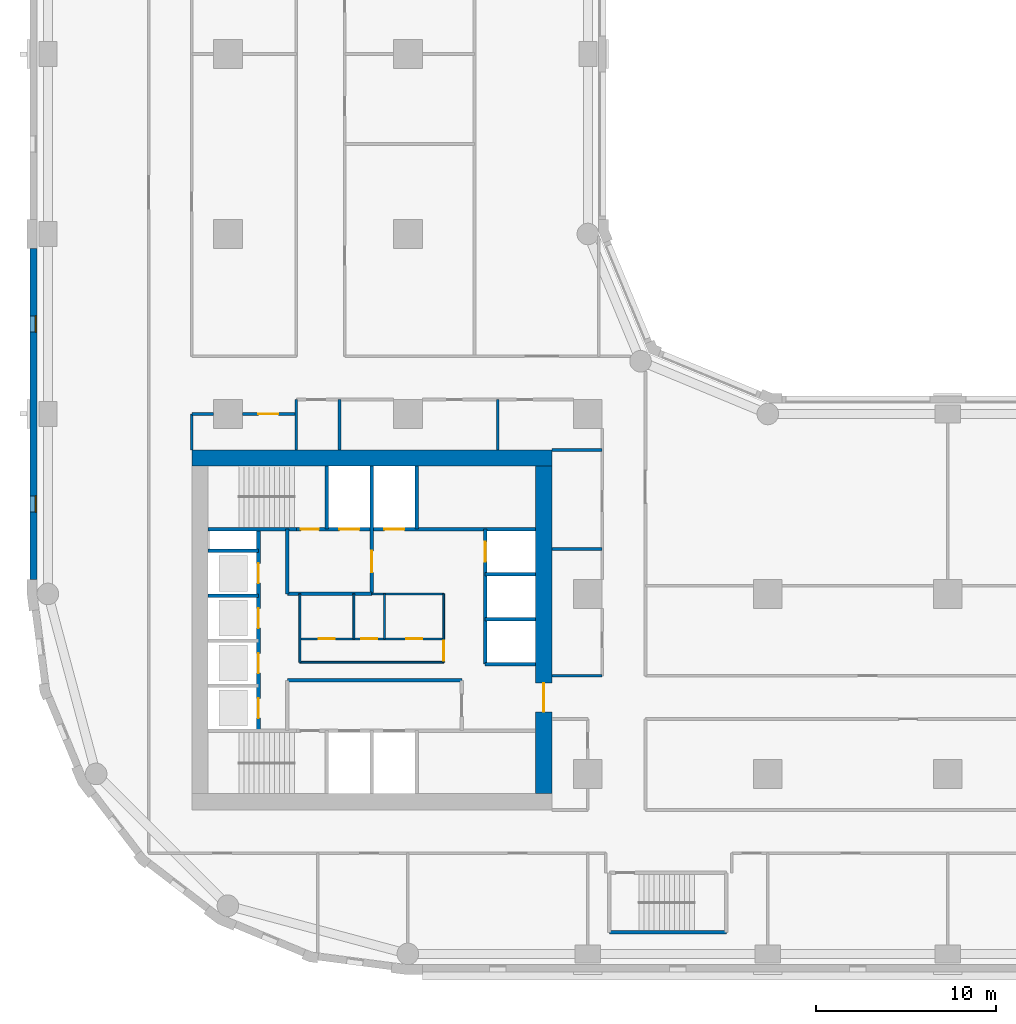
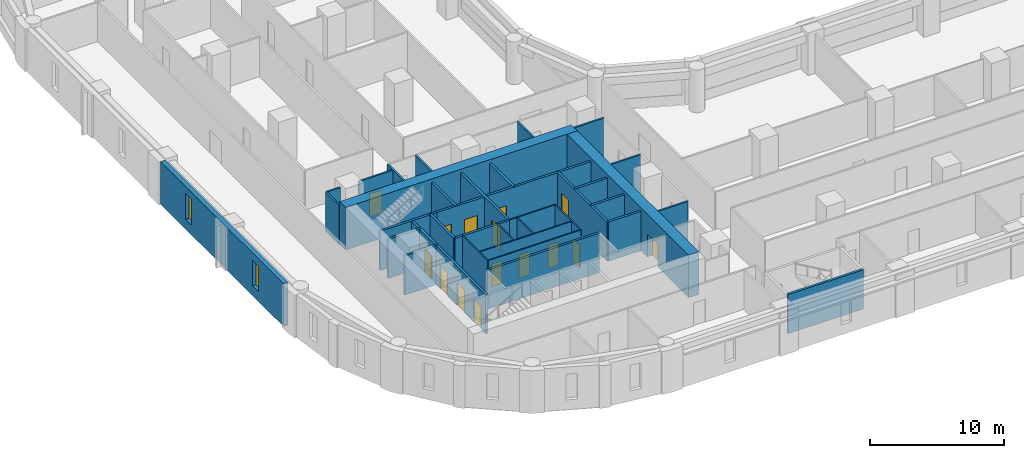
# One storey, part 3 of 10: 35 walls, 15 doors, 2 windows, 17 openings.
"""IFC4 building model written with IfcOpenShell, lengths in metres."""

from ifc_helpers import new_model, si_unit, direction, frame, frame_2d, origin, place, context, subcontext, project, spatial, rectangle, extrude, material, layer, layer_set, type_object, element, fill, save


model = new_model("IFC4")

# Units and contexts
model_context = context("Model", 3, precision=1e-05, world=origin(), true_north=direction((0.0, 1.0)))
body_context = subcontext(model_context, "Body", "Model", "MODEL_VIEW")
ifc_project = project(units=[si_unit("LENGTHUNIT", "METRE"), si_unit("AREAUNIT", "SQUARE_METRE"), si_unit("VOLUMEUNIT", "CUBIC_METRE"), si_unit("PLANEANGLEUNIT", "RADIAN"), si_unit("MASSUNIT", "GRAM", prefix="KILO")], contexts=[model_context])

# Site, building, storey
site_placement = place(None, origin())
site = spatial("IfcSite", under=ifc_project, at=site_placement, CompositionType="ELEMENT")
building_placement = place(site_placement, origin())
building = spatial("IfcBuilding", under=site, at=building_placement, Name="Qaws Garden Tower", CompositionType="ELEMENT")
storey_placement = place(building_placement, frame((0.0, 0.0, 105.60009765625)))
storey = spatial("IfcBuildingStorey", under=building, at=storey_placement, Name="L26", CompositionType="ELEMENT", Elevation=105.60009765625)

# Wall, openings, windows
ifc_material_1 = material(Name="Clay facing brick masonry", Category="masonry")
ifc_layer_1 = layer(ifc_material_1, 0.39990234375)
ifc_layer_set_1 = layer_set([ifc_layer_1], Name="Clay facing brick masonry")
wall_type_1 = type_object("IfcWallType", Name="Brick infill wall 400", PredefinedType="SOLIDWALL", material=ifc_layer_set_1)
wall_1_placement = place(storey_placement, frame((-0.800048828125, 39.199951171875, 0.0), z_axis=(0.0, 0.0, 1.0), x_axis=(0.0, -1.0, 0.0)))
wall_1 = element("IfcWall", 1, at=wall_1_placement, inside=storey, type_object=wall_type_1, Name="E-L26-infill-25", PredefinedType="SOLIDWALL", context=body_context, shape_type="SweptSolid", body=[
    extrude(rectangle(XDim=18.39990234375, YDim=0.39990234375, at=frame_2d((9.199951171875, 0.0))), origin(), (0.0, 0.0, 1.0), 3.89990234375),
])
opening_1_placement = place(wall_1_placement, frame((3.75, 0.0, 0.89990234375)))
opening_1 = element("IfcOpeningElement", 2, at=opening_1_placement, cuts=wall_1, Name="Opening W09", PredefinedType="OPENING", context=body_context, shape_type="SweptSolid", body=[
    extrude(rectangle(XDim=0.89990234375, YDim=2.35009765625, at=frame_2d((0.449951171875, 1.175048828125))), frame((0.0, 0.2099609375, 0.0), z_axis=(0.0, -1.0, 0.0), x_axis=(1.0, 0.0, 0.0)), (0.0, 0.0, 1.0), 0.419921875),
])
opening_2_placement = place(wall_1_placement, frame((13.75, 0.0, 0.89990234375)))
opening_2 = element("IfcOpeningElement", 3, at=opening_2_placement, cuts=wall_1, Name="Opening W09", PredefinedType="OPENING", context=body_context, shape_type="SweptSolid", body=[
    extrude(rectangle(XDim=0.89990234375, YDim=2.35009765625, at=frame_2d((0.449951171875, 1.175048828125))), frame((0.0, 0.2099609375, 0.0), z_axis=(0.0, -1.0, 0.0), x_axis=(1.0, 0.0, 0.0)), (0.0, 0.0, 1.0), 0.419921875),
])
ifc_material_2 = material(Name="Aluminium framed window, clear glazing", Category="aluminium")
window_type = type_object("IfcWindowType", Name="Slit window 900 x 2350", PartitioningType="SINGLE_PANEL", PredefinedType="WINDOW", material=ifc_material_2)
window_1_placement = place(opening_1_placement, origin())
window_1 = element("IfcWindow", 4, at=window_1_placement, inside=storey, type_object=window_type, Name="E-L26-window-25-0", OverallHeight=2.35009765625, OverallWidth=0.89990234375, PartitioningType="SINGLE_PANEL", PredefinedType="WINDOW", context=body_context, shape_type="SweptSolid", body=[
    extrude(rectangle(XDim=0.89990234375, YDim=2.35009765625, at=frame_2d((0.449951171875, 1.175048828125))), frame((0.0, 0.159912109375, 0.0), z_axis=(0.0, -1.0, 0.0), x_axis=(1.0, 0.0, 0.0)), (0.0, 0.0, 1.0), 0.06005859375),
])
fill(opening_1, window_1)
window_2_placement = place(opening_2_placement, origin())
window_2 = element("IfcWindow", 5, at=window_2_placement, inside=storey, type_object=window_type, Name="E-L26-window-26-0", OverallHeight=2.35009765625, OverallWidth=0.89990234375, PartitioningType="SINGLE_PANEL", PredefinedType="WINDOW", context=body_context, shape_type="SweptSolid", body=[
    extrude(rectangle(XDim=0.89990234375, YDim=2.35009765625, at=frame_2d((0.449951171875, 1.175048828125))), frame((0.0, 0.159912109375, 0.0), z_axis=(0.0, -1.0, 0.0), x_axis=(1.0, 0.0, 0.0)), (0.0, 0.0, 1.0), 0.06005859375),
])
fill(opening_2, window_2)

# Wall
ifc_material_3 = material(Name="Plasterboard")
ifc_layer_2 = layer(ifc_material_3, 0.10009765625)
ifc_layer_set_2 = layer_set([ifc_layer_2], Name="Plasterboard")
wall_type_2 = type_object("IfcWallType", Name="Core partition 100", PredefinedType="PARTITIONING", material=ifc_layer_set_2)
wall_2_placement = place(storey_placement, frame((14.0, 16.199951171875, 0.0), z_axis=(0.0, 0.0, 1.0), x_axis=(1.0, 0.0, 0.0)))
element("IfcWall", 6, at=wall_2_placement, inside=storey, type_object=wall_type_2, Name="Core partition", PredefinedType="PARTITIONING", context=body_context, shape_type="SweptSolid", body=[
    extrude(rectangle(XDim=8.0, YDim=0.10009765625, at=frame_2d((4.0, 0.0))), origin(), (0.0, 0.0, 1.0), 3.579833984375),
])

# Wall, openings, doors
wall_3_placement = place(storey_placement, frame((14.0, 17.5, 0.0), z_axis=(0.0, 0.0, 1.0), x_axis=(1.0, 0.0, 0.0)))
wall_3 = element("IfcWall", 7, at=wall_3_placement, inside=storey, type_object=wall_type_2, Name="Core partition", PredefinedType="PARTITIONING", context=body_context, shape_type="SweptSolid", body=[
    extrude(rectangle(XDim=8.0, YDim=0.10009765625, at=frame_2d((4.0, 0.0))), origin(), (0.0, 0.0, 1.0), 3.579833984375),
])
opening_3_placement = place(wall_3_placement, frame((1.050048828125, 0.0, 0.0)))
opening_3 = element("IfcOpeningElement", 8, at=opening_3_placement, cuts=wall_3, Name="Opening WD18", PredefinedType="OPENING", context=body_context, shape_type="SweptSolid", body=[
    extrude(rectangle(XDim=0.89990234375, YDim=2.10009765625, at=frame_2d((0.449951171875, 1.050048828125))), frame((0.0, 0.06005859375, 0.0), z_axis=(0.0, -1.0, 0.0), x_axis=(1.0, 0.0, 0.0)), (0.0, 0.0, 1.0), 0.1201171875),
])
opening_4_placement = place(wall_3_placement, frame((3.39990234375, 0.0, 0.0)))
opening_4 = element("IfcOpeningElement", 9, at=opening_4_placement, cuts=wall_3, Name="Opening WD19", PredefinedType="OPENING", context=body_context, shape_type="SweptSolid", body=[
    extrude(rectangle(XDim=0.89990234375, YDim=2.10009765625, at=frame_2d((0.449951171875, 1.050048828125))), frame((0.0, 0.06005859375, 0.0), z_axis=(0.0, -1.0, 0.0), x_axis=(1.0, 0.0, 0.0)), (0.0, 0.0, 1.0), 0.1201171875),
])
opening_5_placement = place(wall_3_placement, frame((5.89990234375, 0.0, 0.0)))
opening_5 = element("IfcOpeningElement", 10, at=opening_5_placement, cuts=wall_3, Name="Opening WD20", PredefinedType="OPENING", context=body_context, shape_type="SweptSolid", body=[
    extrude(rectangle(XDim=0.89990234375, YDim=2.10009765625, at=frame_2d((0.449951171875, 1.050048828125))), frame((0.0, 0.06005859375, 0.0), z_axis=(0.0, -1.0, 0.0), x_axis=(1.0, 0.0, 0.0)), (0.0, 0.0, 1.0), 0.1201171875),
])
ifc_material_4 = material(Name="Timber", Category="wood")
door_type_1 = type_object("IfcDoorType", Name="WC door 900x2100", OperationType="SINGLE_SWING_LEFT", PredefinedType="DOOR", material=ifc_material_4)
door_1_placement = place(opening_3_placement, origin())
door_1 = element("IfcDoor", 11, at=door_1_placement, inside=storey, type_object=door_type_1, Name="Men's WC door", OperationType="SINGLE_SWING_RIGHT", OverallHeight=2.10009765625, OverallWidth=0.89990234375, PredefinedType="DOOR", context=body_context, shape_type="SweptSolid", body=[
    extrude(rectangle(XDim=0.89990234375, YDim=2.10009765625, at=frame_2d((0.449951171875, 1.050048828125))), frame((0.0, 0.02490234375, 0.0), z_axis=(0.0, -1.0, 0.0), x_axis=(1.0, 0.0, 0.0)), (0.0, 0.0, 1.0), 0.050048828125),
])
fill(opening_3, door_1)
door_2_placement = place(opening_4_placement, origin())
door_2 = element("IfcDoor", 12, at=door_2_placement, inside=storey, type_object=door_type_1, Name="Accessible WC door", OperationType="SINGLE_SWING_RIGHT", OverallHeight=2.10009765625, OverallWidth=0.89990234375, PredefinedType="DOOR", context=body_context, shape_type="SweptSolid", body=[
    extrude(rectangle(XDim=0.89990234375, YDim=2.10009765625, at=frame_2d((0.449951171875, 1.050048828125))), frame((0.0, 0.02490234375, 0.0), z_axis=(0.0, -1.0, 0.0), x_axis=(1.0, 0.0, 0.0)), (0.0, 0.0, 1.0), 0.050048828125),
])
fill(opening_4, door_2)
door_3_placement = place(opening_5_placement, origin())
door_3 = element("IfcDoor", 13, at=door_3_placement, inside=storey, type_object=door_type_1, Name="Women's WC door", OperationType="SINGLE_SWING_RIGHT", OverallHeight=2.10009765625, OverallWidth=0.89990234375, PredefinedType="DOOR", context=body_context, shape_type="SweptSolid", body=[
    extrude(rectangle(XDim=0.89990234375, YDim=2.10009765625, at=frame_2d((0.449951171875, 1.050048828125))), frame((0.0, 0.02490234375, 0.0), z_axis=(0.0, -1.0, 0.0), x_axis=(1.0, 0.0, 0.0)), (0.0, 0.0, 1.0), 0.050048828125),
])
fill(opening_5, door_3)

# Walls
wall_4_placement = place(storey_placement, frame((18.0, 20.0, 0.0), z_axis=(0.0, 0.0, 1.0), x_axis=(1.0, 0.0, 0.0)))
element("IfcWall", 14, at=wall_4_placement, inside=storey, type_object=wall_type_2, Name="Core partition", PredefinedType="PARTITIONING", context=body_context, shape_type="SweptSolid", body=[
    extrude(rectangle(XDim=4.0, YDim=0.10009765625, at=frame_2d((2.0, 0.0))), origin(), (0.0, 0.0, 1.0), 3.579833984375),
])
wall_5_placement = place(storey_placement, frame((14.0, 16.199951171875, 0.0), z_axis=(0.0, 0.0, 1.0), x_axis=(0.0, 1.0, 0.0)))
element("IfcWall", 15, at=wall_5_placement, inside=storey, type_object=wall_type_2, Name="Core partition", PredefinedType="PARTITIONING", context=body_context, shape_type="SweptSolid", body=[
    extrude(rectangle(XDim=3.800048828125, YDim=0.10009765625, at=frame_2d((1.89990234375, 0.0))), origin(), (0.0, 0.0, 1.0), 3.579833984375),
])
for number, where, z_axis, x_axis, name in (
    (16, (17.0, 17.5, 0.0), (0.0, 0.0, 1.0), (0.0, 1.0, 0.0), "Core partition"),
    (17, (18.699951171875, 17.5, 0.0), (0.0, 0.0, 1.0), (0.0, 1.0, 0.0), "Core partition"),
):
    element("IfcWall", number, at=place(storey_placement, frame(where, z_axis=z_axis, x_axis=x_axis)), inside=storey, type_object=wall_type_2, Name=name, PredefinedType="PARTITIONING", context=body_context, shape_type="SweptSolid", body=[
        extrude(rectangle(XDim=2.5, YDim=0.10009765625, at=frame_2d((1.25, 0.0))), origin(), (0.0, 0.0, 1.0), 3.579833984375),
    ])

# Wall, opening, door
wall_6_placement = place(storey_placement, frame((22.0, 16.199951171875, 0.0), z_axis=(0.0, 0.0, 1.0), x_axis=(0.0, 1.0, 0.0)))
wall_6 = element("IfcWall", 18, at=wall_6_placement, inside=storey, type_object=wall_type_2, Name="Core partition", PredefinedType="PARTITIONING", context=body_context, shape_type="SweptSolid", body=[
    extrude(rectangle(XDim=3.800048828125, YDim=0.10009765625, at=frame_2d((1.89990234375, 0.0))), origin(), (0.0, 0.0, 1.0), 3.579833984375),
])
opening_6_placement = place(wall_6_placement, frame((0.10009765625, 0.0, 0.0)))
opening_6 = element("IfcOpeningElement", 19, at=opening_6_placement, cuts=wall_6, Name="Opening WL17", PredefinedType="OPENING", context=body_context, shape_type="SweptSolid", body=[
    extrude(rectangle(XDim=1.10009765625, YDim=2.10009765625, at=frame_2d((0.550048828125, 1.050048828125))), frame((0.0, 0.06005859375, 0.0), z_axis=(0.0, -1.0, 0.0), x_axis=(1.0, 0.0, 0.0)), (0.0, 0.0, 1.0), 0.1201171875),
])
ifc_material_5 = material(Name="Timber", Category="wood")
door_type_2 = type_object("IfcDoorType", Name="WC lobby door 1100x2100", OperationType="SINGLE_SWING_LEFT", PredefinedType="DOOR", material=ifc_material_5)
door_4_placement = place(opening_6_placement, origin())
door_4 = element("IfcDoor", 20, at=door_4_placement, inside=storey, type_object=door_type_2, Name="WC lobby door", OperationType="SINGLE_SWING_RIGHT", OverallHeight=2.10009765625, OverallWidth=1.10009765625, PredefinedType="DOOR", context=body_context, shape_type="SweptSolid", body=[
    extrude(rectangle(XDim=1.10009765625, YDim=2.10009765625, at=frame_2d((0.550048828125, 1.050048828125))), frame((0.0, 0.02490234375, 0.0), z_axis=(0.0, -1.0, 0.0), x_axis=(1.0, 0.0, 0.0)), (0.0, 0.0, 1.0), 0.050048828125),
])
fill(opening_6, door_4)

# Walls
ifc_material_6 = material(Name="Concrete C80", Category="concrete")
ifc_layer_3 = layer(ifc_material_6, 0.199951171875)
ifc_layer_set_3 = layer_set([ifc_layer_3], Name="Concrete C80")
wall_type_3 = type_object("IfcWallType", Name="Core shaft wall 200 C80", PredefinedType="SHEAR", material=ifc_layer_set_3)
wall_7_placement = place(storey_placement, frame((31.199951171875, 1.199951171875, 0.0), z_axis=(0.0, 0.0, 1.0), x_axis=(1.0, 0.0, 0.0)))
element("IfcWall", 21, at=wall_7_placement, inside=storey, type_object=wall_type_3, Name="Shaft wall", PredefinedType="SHEAR", context=body_context, shape_type="SweptSolid", body=[
    extrude(rectangle(XDim=6.5, YDim=0.199951171875, at=frame_2d((3.25, 0.0))), origin(), (0.0, 0.0, 1.0), 3.579833984375),
])
wall_8_placement = place(storey_placement, frame((13.300048828125, 15.199951171875, 0.0), z_axis=(0.0, 0.0, 1.0), x_axis=(1.0, 0.0, 0.0)))
element("IfcWall", 22, at=wall_8_placement, inside=storey, type_object=wall_type_3, Name="Shaft wall", PredefinedType="SHEAR", context=body_context, shape_type="SweptSolid", body=[
    extrude(rectangle(XDim=9.699951171875, YDim=0.199951171875, at=frame_2d((4.85009765625, 0.0))), origin(), (0.0, 0.0, 1.0), 3.579833984375),
])
for number, where, z_axis, x_axis, name in (
    (23, (24.300048828125, 16.10009765625, 0.0), (0.0, 0.0, 1.0), (1.0, 0.0, 0.0), "Shaft wall"),
    (24, (24.300048828125, 18.60009765625, 0.0), (0.0, 0.0, 1.0), (1.0, 0.0, 0.0), "Shaft wall"),
    (25, (8.89990234375, 19.89990234375, 0.0), (0.0, 0.0, 1.0), (1.0, 0.0, 0.0), "Shaft wall"),
):
    element("IfcWall", number, at=place(storey_placement, frame(where, z_axis=z_axis, x_axis=x_axis)), inside=storey, type_object=wall_type_3, Name=name, PredefinedType="SHEAR", context=body_context, shape_type="SweptSolid", body=[
        extrude(rectangle(XDim=2.800048828125, YDim=0.199951171875, at=frame_2d((1.39990234375, 0.0))), origin(), (0.0, 0.0, 1.0), 3.579833984375),
    ])
wall_9_placement = place(storey_placement, frame((13.300048828125, 20.0, 0.0), z_axis=(0.0, 0.0, 1.0), x_axis=(1.0, 0.0, 0.0)))
element("IfcWall", 26, at=wall_9_placement, inside=storey, type_object=wall_type_3, Name="Shaft wall", PredefinedType="SHEAR", context=body_context, shape_type="SweptSolid", body=[
    extrude(rectangle(XDim=4.699951171875, YDim=0.199951171875, at=frame_2d((2.35009765625, 0.0))), origin(), (0.0, 0.0, 1.0), 3.579833984375),
])
for number, where, z_axis, x_axis, name in (
    (27, (24.300048828125, 21.10009765625, 0.0), (0.0, 0.0, 1.0), (1.0, 0.0, 0.0), "Shaft wall"),
    (28, (8.89990234375, 22.39990234375, 0.0), (0.0, 0.0, 1.0), (1.0, 0.0, 0.0), "Shaft wall"),
):
    element("IfcWall", number, at=place(storey_placement, frame(where, z_axis=z_axis, x_axis=x_axis)), inside=storey, type_object=wall_type_3, Name=name, PredefinedType="SHEAR", context=body_context, shape_type="SweptSolid", body=[
        extrude(rectangle(XDim=2.800048828125, YDim=0.199951171875, at=frame_2d((1.39990234375, 0.0))), origin(), (0.0, 0.0, 1.0), 3.579833984375),
    ])
wall_10_placement = place(storey_placement, frame((8.89990234375, 23.60009765625, 0.0), z_axis=(0.0, 0.0, 1.0), x_axis=(1.0, 0.0, 0.0)))
element("IfcWall", 29, at=wall_10_placement, inside=storey, type_object=wall_type_3, Name="Shaft wall", PredefinedType="SHEAR", context=body_context, shape_type="SweptSolid", body=[
    extrude(rectangle(XDim=4.900146484375, YDim=0.199951171875, at=frame_2d((2.4501953125, 0.0))), origin(), (0.0, 0.0, 1.0), 3.579833984375),
])

# Wall, openings, doors
wall_11_placement = place(storey_placement, frame((13.800048828125, 23.60009765625, 0.0), z_axis=(0.0, 0.0, 1.0), x_axis=(1.0, 0.0, 0.0)))
wall_11 = element("IfcWall", 30, at=wall_11_placement, inside=storey, type_object=wall_type_3, Name="Shaft wall", PredefinedType="SHEAR", context=body_context, shape_type="SweptSolid", body=[
    extrude(rectangle(XDim=13.300048828125, YDim=0.199951171875, at=frame_2d((6.64990234375, 0.0))), origin(), (0.0, 0.0, 1.0), 3.579833984375),
])
opening_7_placement = place(wall_11_placement, frame((2.39990234375, 0.0, 0.0)))
opening_7 = element("IfcOpeningElement", 31, at=opening_7_placement, cuts=wall_11, Name="Opening LD08", PredefinedType="OPENING", context=body_context, shape_type="SweptSolid", body=[
    extrude(rectangle(XDim=1.10009765625, YDim=2.10009765625, at=frame_2d((0.550048828125, 1.050048828125))), frame((0.0, 0.10986328125, 0.0), z_axis=(0.0, -1.0, 0.0), x_axis=(1.0, 0.0, 0.0)), (0.0, 0.0, 1.0), 0.219970703125),
])
opening_8_placement = place(wall_11_placement, frame((4.89990234375, 0.0, 0.0)))
opening_8 = element("IfcOpeningElement", 32, at=opening_8_placement, cuts=wall_11, Name="Opening LD09", PredefinedType="OPENING", context=body_context, shape_type="SweptSolid", body=[
    extrude(rectangle(XDim=1.10009765625, YDim=2.10009765625, at=frame_2d((0.550048828125, 1.050048828125))), frame((0.0, 0.10986328125, 0.0), z_axis=(0.0, -1.0, 0.0), x_axis=(1.0, 0.0, 0.0)), (0.0, 0.0, 1.0), 0.219970703125),
])
opening_9_placement = place(wall_11_placement, frame((0.25, 0.0, 0.0)))
opening_9 = element("IfcOpeningElement", 33, at=opening_9_placement, cuts=wall_11, Name="Opening SD11", PredefinedType="OPENING", context=body_context, shape_type="SweptSolid", body=[
    extrude(rectangle(XDim=1.0, YDim=2.10009765625, at=frame_2d((0.5, 1.050048828125))), frame((0.0, 0.10986328125, 0.0), z_axis=(0.0, -1.0, 0.0), x_axis=(1.0, 0.0, 0.0)), (0.0, 0.0, 1.0), 0.219970703125),
])
ifc_material_7 = material(Name="Steel S235", Category="steel")
door_type_3 = type_object("IfcDoorType", Name="Landing door 1100x2100", OperationType="DOUBLE_DOOR_SLIDING", PredefinedType="DOOR", material=ifc_material_7)
door_5_placement = place(opening_7_placement, origin())
door_5 = element("IfcDoor", 34, at=door_5_placement, inside=storey, type_object=door_type_3, Name="Lift FF3 landing door", OperationType="DOUBLE_DOOR_SLIDING", OverallHeight=2.10009765625, OverallWidth=1.10009765625, PredefinedType="DOOR", context=body_context, shape_type="SweptSolid", body=[
    extrude(rectangle(XDim=1.10009765625, YDim=2.10009765625, at=frame_2d((0.550048828125, 1.050048828125))), frame((0.0, 0.02490234375, 0.0), z_axis=(0.0, -1.0, 0.0), x_axis=(1.0, 0.0, 0.0)), (0.0, 0.0, 1.0), 0.050048828125),
])
fill(opening_7, door_5)
door_6_placement = place(opening_8_placement, origin())
door_6 = element("IfcDoor", 35, at=door_6_placement, inside=storey, type_object=door_type_3, Name="Lift SV2 landing door", OperationType="DOUBLE_DOOR_SLIDING", OverallHeight=2.10009765625, OverallWidth=1.10009765625, PredefinedType="DOOR", context=body_context, shape_type="SweptSolid", body=[
    extrude(rectangle(XDim=1.10009765625, YDim=2.10009765625, at=frame_2d((0.550048828125, 1.050048828125))), frame((0.0, 0.02490234375, 0.0), z_axis=(0.0, -1.0, 0.0), x_axis=(1.0, 0.0, 0.0)), (0.0, 0.0, 1.0), 0.050048828125),
])
fill(opening_8, door_6)
ifc_material_8 = material(Name="Steel S235", Category="steel")
door_type_4 = type_object("IfcDoorType", Name="Stair door 1000x2100", OperationType="SINGLE_SWING_RIGHT", PredefinedType="DOOR", material=ifc_material_8)
door_7_placement = place(opening_9_placement, origin())
door_7 = element("IfcDoor", 36, at=door_7_placement, inside=storey, type_object=door_type_4, Name="Stair 4 door", OperationType="SINGLE_SWING_RIGHT", OverallHeight=2.10009765625, OverallWidth=1.0, PredefinedType="DOOR", context=body_context, shape_type="SweptSolid", body=[
    extrude(rectangle(XDim=1.0, YDim=2.10009765625, at=frame_2d((0.5, 1.050048828125))), frame((0.0, 0.02490234375, 0.0), z_axis=(0.0, -1.0, 0.0), x_axis=(1.0, 0.0, 0.0)), (0.0, 0.0, 1.0), 0.050048828125),
])
fill(opening_9, door_7)

wall_12_placement = place(storey_placement, frame((11.699951171875, 12.39990234375, 0.0), z_axis=(0.0, 0.0, 1.0), x_axis=(0.0, 1.0, 0.0)))
wall_12 = element("IfcWall", 37, at=wall_12_placement, inside=storey, type_object=wall_type_3, Name="Shaft wall", PredefinedType="SHEAR", context=body_context, shape_type="SweptSolid", body=[
    extrude(rectangle(XDim=11.2001953125, YDim=0.199951171875, at=frame_2d((5.60009765625, 0.0))), origin(), (0.0, 0.0, 1.0), 3.579833984375),
])
opening_10_placement = place(wall_12_placement, frame((0.699951171875, 0.0, 0.0)))
opening_10 = element("IfcOpeningElement", 38, at=opening_10_placement, cuts=wall_12, Name="Opening LD01", PredefinedType="OPENING", context=body_context, shape_type="SweptSolid", body=[
    extrude(rectangle(XDim=1.10009765625, YDim=2.10009765625, at=frame_2d((0.550048828125, 1.050048828125))), frame((0.0, 0.10986328125, 0.0), z_axis=(0.0, -1.0, 0.0), x_axis=(1.0, 0.0, 0.0)), (0.0, 0.0, 1.0), 0.219970703125),
])
opening_11_placement = place(wall_12_placement, frame((3.199951171875, 0.0, 0.0)))
opening_11 = element("IfcOpeningElement", 39, at=opening_11_placement, cuts=wall_12, Name="Opening LD02", PredefinedType="OPENING", context=body_context, shape_type="SweptSolid", body=[
    extrude(rectangle(XDim=1.10009765625, YDim=2.10009765625, at=frame_2d((0.550048828125, 1.050048828125))), frame((0.0, 0.10986328125, 0.0), z_axis=(0.0, -1.0, 0.0), x_axis=(1.0, 0.0, 0.0)), (0.0, 0.0, 1.0), 0.219970703125),
])
opening_12_placement = place(wall_12_placement, frame((5.699951171875, 0.0, 0.0)))
opening_12 = element("IfcOpeningElement", 40, at=opening_12_placement, cuts=wall_12, Name="Opening LD03", PredefinedType="OPENING", context=body_context, shape_type="SweptSolid", body=[
    extrude(rectangle(XDim=1.10009765625, YDim=2.10009765625, at=frame_2d((0.550048828125, 1.050048828125))), frame((0.0, 0.10986328125, 0.0), z_axis=(0.0, -1.0, 0.0), x_axis=(1.0, 0.0, 0.0)), (0.0, 0.0, 1.0), 0.219970703125),
])
opening_13_placement = place(wall_12_placement, frame((8.199951171875, 0.0, 0.0)))
opening_13 = element("IfcOpeningElement", 41, at=opening_13_placement, cuts=wall_12, Name="Opening LD04", PredefinedType="OPENING", context=body_context, shape_type="SweptSolid", body=[
    extrude(rectangle(XDim=1.10009765625, YDim=2.10009765625, at=frame_2d((0.550048828125, 1.050048828125))), frame((0.0, 0.10986328125, 0.0), z_axis=(0.0, -1.0, 0.0), x_axis=(1.0, 0.0, 0.0)), (0.0, 0.0, 1.0), 0.219970703125),
])
door_8_placement = place(opening_10_placement, origin())
door_8 = element("IfcDoor", 42, at=door_8_placement, inside=storey, type_object=door_type_3, Name="Lift W1 landing door", OperationType="DOUBLE_DOOR_SLIDING", OverallHeight=2.10009765625, OverallWidth=1.10009765625, PredefinedType="DOOR", context=body_context, shape_type="SweptSolid", body=[
    extrude(rectangle(XDim=1.10009765625, YDim=2.10009765625, at=frame_2d((0.550048828125, 1.050048828125))), frame((0.0, 0.02490234375, 0.0), z_axis=(0.0, -1.0, 0.0), x_axis=(1.0, 0.0, 0.0)), (0.0, 0.0, 1.0), 0.050048828125),
])
fill(opening_10, door_8)
door_9_placement = place(opening_11_placement, origin())
door_9 = element("IfcDoor", 43, at=door_9_placement, inside=storey, type_object=door_type_3, Name="Lift W2 landing door", OperationType="DOUBLE_DOOR_SLIDING", OverallHeight=2.10009765625, OverallWidth=1.10009765625, PredefinedType="DOOR", context=body_context, shape_type="SweptSolid", body=[
    extrude(rectangle(XDim=1.10009765625, YDim=2.10009765625, at=frame_2d((0.550048828125, 1.050048828125))), frame((0.0, 0.02490234375, 0.0), z_axis=(0.0, -1.0, 0.0), x_axis=(1.0, 0.0, 0.0)), (0.0, 0.0, 1.0), 0.050048828125),
])
fill(opening_11, door_9)
door_10_placement = place(opening_12_placement, origin())
door_10 = element("IfcDoor", 44, at=door_10_placement, inside=storey, type_object=door_type_3, Name="Lift W3 landing door", OperationType="DOUBLE_DOOR_SLIDING", OverallHeight=2.10009765625, OverallWidth=1.10009765625, PredefinedType="DOOR", context=body_context, shape_type="SweptSolid", body=[
    extrude(rectangle(XDim=1.10009765625, YDim=2.10009765625, at=frame_2d((0.550048828125, 1.050048828125))), frame((0.0, 0.02490234375, 0.0), z_axis=(0.0, -1.0, 0.0), x_axis=(1.0, 0.0, 0.0)), (0.0, 0.0, 1.0), 0.050048828125),
])
fill(opening_12, door_10)
door_11_placement = place(opening_13_placement, origin())
door_11 = element("IfcDoor", 45, at=door_11_placement, inside=storey, type_object=door_type_3, Name="Lift W4 landing door", OperationType="DOUBLE_DOOR_SLIDING", OverallHeight=2.10009765625, OverallWidth=1.10009765625, PredefinedType="DOOR", context=body_context, shape_type="SweptSolid", body=[
    extrude(rectangle(XDim=1.10009765625, YDim=2.10009765625, at=frame_2d((0.550048828125, 1.050048828125))), frame((0.0, 0.02490234375, 0.0), z_axis=(0.0, -1.0, 0.0), x_axis=(1.0, 0.0, 0.0)), (0.0, 0.0, 1.0), 0.050048828125),
])
fill(opening_13, door_11)

# Walls
wall_13_placement = place(storey_placement, frame((13.300048828125, 20.0, 0.0), z_axis=(0.0, 0.0, 1.0), x_axis=(0.0, 1.0, 0.0)))
element("IfcWall", 46, at=wall_13_placement, inside=storey, type_object=wall_type_3, Name="Shaft wall", PredefinedType="SHEAR", context=body_context, shape_type="SweptSolid", body=[
    extrude(rectangle(XDim=3.60009765625, YDim=0.199951171875, at=frame_2d((1.800048828125, 0.0))), origin(), (0.0, 0.0, 1.0), 3.579833984375),
])
wall_14_placement = place(storey_placement, frame((15.5, 23.60009765625, 0.0), z_axis=(0.0, 0.0, 1.0), x_axis=(0.0, 1.0, 0.0)))
element("IfcWall", 47, at=wall_14_placement, inside=storey, type_object=wall_type_3, Name="Shaft wall", PredefinedType="SHEAR", context=body_context, shape_type="SweptSolid", body=[
    extrude(rectangle(XDim=3.5, YDim=0.199951171875, at=frame_2d((1.75, 0.0))), origin(), (0.0, 0.0, 1.0), 3.579833984375),
])

# Wall, opening, door
wall_15_placement = place(storey_placement, frame((18.0, 20.0, 0.0), z_axis=(0.0, 0.0, 1.0), x_axis=(0.0, 1.0, 0.0)))
wall_15 = element("IfcWall", 48, at=wall_15_placement, inside=storey, type_object=wall_type_3, Name="Shaft wall", PredefinedType="SHEAR", context=body_context, shape_type="SweptSolid", body=[
    extrude(rectangle(XDim=7.10009765625, YDim=0.199951171875, at=frame_2d((3.550048828125, 0.0))), origin(), (0.0, 0.0, 1.0), 3.579833984375),
])
opening_14_placement = place(wall_15_placement, frame((1.199951171875, 0.0, 0.0)))
opening_14 = element("IfcOpeningElement", 49, at=opening_14_placement, cuts=wall_15, Name="Opening FD16", PredefinedType="OPENING", context=body_context, shape_type="SweptSolid", body=[
    extrude(rectangle(XDim=1.199951171875, YDim=2.10009765625, at=frame_2d((0.60009765625, 1.050048828125))), frame((0.0, 0.10986328125, 0.0), z_axis=(0.0, -1.0, 0.0), x_axis=(1.0, 0.0, 0.0)), (0.0, 0.0, 1.0), 0.219970703125),
])
ifc_material_9 = material(Name="Steel S235", Category="steel")
door_type_5 = type_object("IfcDoorType", Name="Lobby door 1200x2100", OperationType="DOUBLE_DOOR_SINGLE_SWING", PredefinedType="DOOR", material=ifc_material_9)
door_12_placement = place(opening_14_placement, origin())
door_12 = element("IfcDoor", 50, at=door_12_placement, inside=storey, type_object=door_type_5, Name="Fire-fighting lobby door", OperationType="DOUBLE_DOOR_SINGLE_SWING", OverallHeight=2.10009765625, OverallWidth=1.199951171875, PredefinedType="DOOR", context=body_context, shape_type="SweptSolid", body=[
    extrude(rectangle(XDim=1.199951171875, YDim=2.10009765625, at=frame_2d((0.60009765625, 1.050048828125))), frame((0.0, 0.02490234375, 0.0), z_axis=(0.0, -1.0, 0.0), x_axis=(1.0, 0.0, 0.0)), (0.0, 0.0, 1.0), 0.050048828125),
])
fill(opening_14, door_12)

# Wall
wall_16_placement = place(storey_placement, frame((20.5, 23.60009765625, 0.0), z_axis=(0.0, 0.0, 1.0), x_axis=(0.0, 1.0, 0.0)))
element("IfcWall", 51, at=wall_16_placement, inside=storey, type_object=wall_type_3, Name="Shaft wall", PredefinedType="SHEAR", context=body_context, shape_type="SweptSolid", body=[
    extrude(rectangle(XDim=3.5, YDim=0.199951171875, at=frame_2d((1.75, 0.0))), origin(), (0.0, 0.0, 1.0), 3.579833984375),
])

# Wall, opening, door
wall_17_placement = place(storey_placement, frame((24.300048828125, 16.10009765625, 0.0), z_axis=(0.0, 0.0, 1.0), x_axis=(0.0, 1.0, 0.0)))
wall_17 = element("IfcWall", 52, at=wall_17_placement, inside=storey, type_object=wall_type_3, Name="Shaft wall", PredefinedType="SHEAR", context=body_context, shape_type="SweptSolid", body=[
    extrude(rectangle(XDim=7.5, YDim=0.199951171875, at=frame_2d((3.75, 0.0))), origin(), (0.0, 0.0, 1.0), 3.579833984375),
])
opening_15_placement = place(wall_17_placement, frame((5.699951171875, 0.0, 0.0)))
opening_15 = element("IfcOpeningElement", 53, at=opening_15_placement, cuts=wall_17, Name="Opening LD05", PredefinedType="OPENING", context=body_context, shape_type="SweptSolid", body=[
    extrude(rectangle(XDim=1.10009765625, YDim=2.10009765625, at=frame_2d((0.550048828125, 1.050048828125))), frame((0.0, 0.10986328125, 0.0), z_axis=(0.0, -1.0, 0.0), x_axis=(1.0, 0.0, 0.0)), (0.0, 0.0, 1.0), 0.219970703125),
])
door_13_placement = place(opening_15_placement, origin())
door_13 = element("IfcDoor", 54, at=door_13_placement, inside=storey, type_object=door_type_3, Name="Lift E3 landing door", OperationType="DOUBLE_DOOR_SLIDING", OverallHeight=2.10009765625, OverallWidth=1.10009765625, PredefinedType="DOOR", context=body_context, shape_type="SweptSolid", body=[
    extrude(rectangle(XDim=1.10009765625, YDim=2.10009765625, at=frame_2d((0.550048828125, 1.050048828125))), frame((0.0, 0.02490234375, 0.0), z_axis=(0.0, -1.0, 0.0), x_axis=(1.0, 0.0, 0.0)), (0.0, 0.0, 1.0), 0.050048828125),
])
fill(opening_15, door_13)

ifc_material_10 = material(Name="Concrete C80", Category="concrete")
ifc_layer_4 = layer(ifc_material_10, 0.89990234375)
ifc_layer_set_4 = layer_set([ifc_layer_4], Name="Concrete C80")
wall_type_4 = type_object("IfcWallType", Name="Core wall 900 C80", PredefinedType="SHEAR", material=ifc_layer_set_4)
wall_18_placement = place(storey_placement, frame((27.550048828125, 8.89990234375, 0.0), z_axis=(0.0, 0.0, 1.0), x_axis=(0.0, 1.0, 0.0)))
wall_18 = element("IfcWall", 55, at=wall_18_placement, inside=storey, type_object=wall_type_4, Name="Core wall L26 east", PredefinedType="SHEAR", context=body_context, shape_type="SweptSolid", body=[
    extrude(rectangle(XDim=18.2001953125, YDim=0.89990234375, at=frame_2d((9.10009765625, 0.0))), origin(), (0.0, 0.0, 1.0), 3.89990234375),
])
opening_16_placement = place(wall_18_placement, frame((4.550048828125, 0.0, 0.0)))
opening_16 = element("IfcOpeningElement", 56, at=opening_16_placement, cuts=wall_18, Name="Opening ED21", PredefinedType="OPENING", context=body_context, shape_type="SweptSolid", body=[
    extrude(rectangle(XDim=1.60009765625, YDim=2.10009765625, at=frame_2d((0.800048828125, 1.050048828125))), frame((0.0, 0.4599609375, 0.0), z_axis=(0.0, -1.0, 0.0), x_axis=(1.0, 0.0, 0.0)), (0.0, 0.0, 1.0), 0.919921875),
])
ifc_material_11 = material(Name="Steel S235", Category="steel")
door_type_6 = type_object("IfcDoorType", Name="Core entrance door 1600x2100", OperationType="DOUBLE_DOOR_SINGLE_SWING", PredefinedType="DOOR", material=ifc_material_11)
door_14_placement = place(opening_16_placement, origin())
door_14 = element("IfcDoor", 57, at=door_14_placement, inside=storey, type_object=door_type_6, Name="Core entrance door", OperationType="DOUBLE_DOOR_SINGLE_SWING", OverallHeight=2.10009765625, OverallWidth=1.60009765625, PredefinedType="DOOR", context=body_context, shape_type="SweptSolid", body=[
    extrude(rectangle(XDim=1.60009765625, YDim=2.10009765625, at=frame_2d((0.800048828125, 1.050048828125))), frame((0.0, 0.02490234375, 0.0), z_axis=(0.0, -1.0, 0.0), x_axis=(1.0, 0.0, 0.0)), (0.0, 0.0, 1.0), 0.050048828125),
])
fill(opening_16, door_14)

# Walls
wall_19_placement = place(storey_placement, frame((28.0, 27.550048828125, 0.0), z_axis=(0.0, 0.0, 1.0), x_axis=(-1.0, 0.0, 0.0)))
element("IfcWall", 58, at=wall_19_placement, inside=storey, type_object=wall_type_4, Name="Core wall L26 north", PredefinedType="SHEAR", context=body_context, shape_type="SweptSolid", body=[
    extrude(rectangle(XDim=20.0, YDim=0.89990234375, at=frame_2d((10.0, 0.0))), origin(), (0.0, 0.0, 1.0), 3.89990234375),
])
ifc_material_12 = material(Name="Gypsum board partition")
ifc_layer_5 = layer(ifc_material_12, 0.14990234375)
ifc_layer_set_5 = layer_set([ifc_layer_5], Name="Gypsum board partition")
wall_type_5 = type_object("IfcWallType", Name="PARTITION 150 EI 60", PredefinedType="PARTITIONING", material=ifc_layer_set_5)
wall_20_placement = place(storey_placement, frame((8.0, 28.0, 0.0), z_axis=(0.0, 0.0, 1.0), x_axis=(0.0, 1.0, 0.0)))
element("IfcWall", 59, at=wall_20_placement, inside=storey, type_object=wall_type_5, Name="O-L26-wall-006", PredefinedType="PARTITIONING", context=body_context, shape_type="SweptSolid", body=[
    extrude(rectangle(XDim=2.0, YDim=0.14990234375, at=frame_2d((1.0, 0.0))), origin(), (0.0, 0.0, 1.0), 3.579833984375),
])
for number, where, z_axis, x_axis, name in (
    (60, (13.800048828125, 28.0, 0.0), (0.0, 0.0, 1.0), (0.0, 1.0, 0.0), "O-L26-wall-009"),
    (61, (16.199951171875, 28.0, 0.0), (0.0, 0.0, 1.0), (0.0, 1.0, 0.0), "O-L26-wall-012"),
    (62, (25.0, 28.0, 0.0), (0.0, 0.0, 1.0), (0.0, 1.0, 0.0), "O-L26-wall-017"),
    (63, (28.0, 15.449951171875, 0.0), (0.0, 0.0, 1.0), (1.0, 0.0, 0.0), "O-L26-wall-042"),
    (64, (28.0, 22.5, 0.0), (0.0, 0.0, 1.0), (1.0, 0.0, 0.0), "O-L26-wall-047"),
    (65, (28.0, 28.0, 0.0), (0.0, 0.0, 1.0), (1.0, 0.0, 0.0), "O-L26-wall-048"),
):
    element("IfcWall", number, at=place(storey_placement, frame(where, z_axis=z_axis, x_axis=x_axis)), inside=storey, type_object=wall_type_5, Name=name, PredefinedType="PARTITIONING", context=body_context, shape_type="SweptSolid", body=[
        extrude(rectangle(XDim=2.800048828125, YDim=0.14990234375, at=frame_2d((1.39990234375, 0.0))), origin(), (0.0, 0.0, 1.0), 3.579833984375),
    ])
wall_21_placement = place(storey_placement, frame((8.0, 30.0, 0.0), z_axis=(0.0, 0.0, 1.0), x_axis=(1.0, 0.0, 0.0)))
element("IfcWall", 66, at=wall_21_placement, inside=storey, type_object=wall_type_5, Name="O-L26-wall-049", PredefinedType="PARTITIONING", context=body_context, shape_type="SweptSolid", body=[
    extrude(rectangle(XDim=1.199951171875, YDim=0.14990234375, at=frame_2d((0.60009765625, 0.0))), origin(), (0.0, 0.0, 1.0), 3.579833984375),
])

# Wall, opening, door
wall_22_placement = place(storey_placement, frame((10.800048828125, 30.0, 0.0), z_axis=(0.0, 0.0, 1.0), x_axis=(1.0, 0.0, 0.0)))
wall_22 = element("IfcWall", 67, at=wall_22_placement, inside=storey, type_object=wall_type_5, Name="O-L26-wall-050", PredefinedType="PARTITIONING", context=body_context, shape_type="SweptSolid", body=[
    extrude(rectangle(XDim=3.0, YDim=0.14990234375, at=frame_2d((1.5, 0.0))), origin(), (0.0, 0.0, 1.0), 3.579833984375),
])
opening_17_placement = place(wall_22_placement, frame((0.89990234375, 0.0, 0.0)))
opening_17 = element("IfcOpeningElement", 68, at=opening_17_placement, cuts=wall_22, Name="Opening A907", PredefinedType="OPENING", context=body_context, shape_type="SweptSolid", body=[
    extrude(rectangle(XDim=1.10009765625, YDim=2.10009765625, at=frame_2d((0.550048828125, 1.050048828125))), frame((0.0, 0.0849609375, 0.0), z_axis=(0.0, -1.0, 0.0), x_axis=(1.0, 0.0, 0.0)), (0.0, 0.0, 1.0), 0.169921875),
])
ifc_material_13 = material(Name="Timber door leaf", Category="wood")
door_type_7 = type_object("IfcDoorType", Name="SERVICE ROOM DOOR 1100 X 2100", OperationType="SINGLE_SWING_LEFT", PredefinedType="DOOR", material=ifc_material_13)
door_15_placement = place(opening_17_placement, frame((1.10009765625, 0.0, 0.0), z_axis=(0.0, 0.0, 1.0), x_axis=(-1.0, 0.0, 0.0)))
door_15 = element("IfcDoor", 69, at=door_15_placement, inside=storey, type_object=door_type_7, Name="O-L26-door-007", OperationType="SINGLE_SWING_LEFT", OverallHeight=2.10009765625, OverallWidth=1.10009765625, PredefinedType="DOOR", context=body_context, shape_type="SweptSolid", body=[
    extrude(rectangle(XDim=1.10009765625, YDim=2.10009765625, at=frame_2d((0.550048828125, 1.050048828125))), frame((0.0, 0.02490234375, 0.0), z_axis=(0.0, -1.0, 0.0), x_axis=(1.0, 0.0, 0.0)), (0.0, 0.0, 1.0), 0.050048828125),
])
fill(opening_17, door_15)

save(model, "model.ifc")
